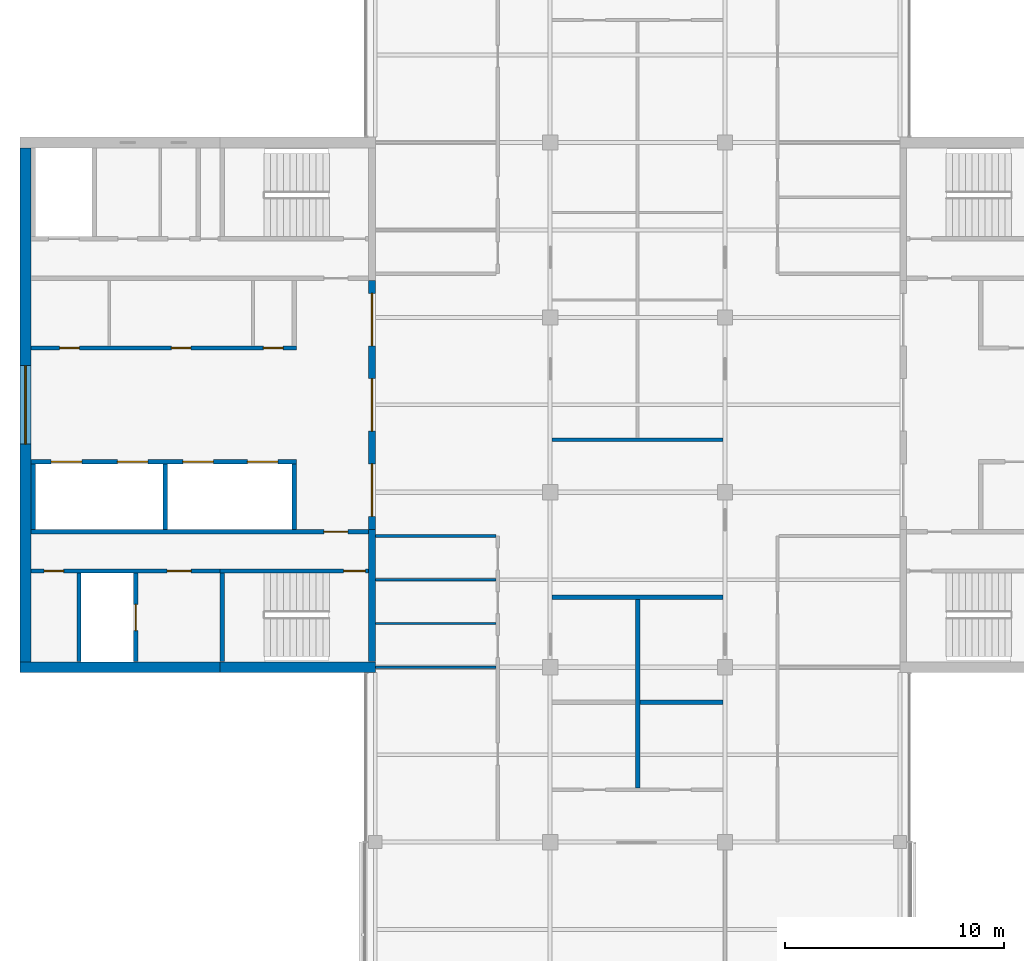
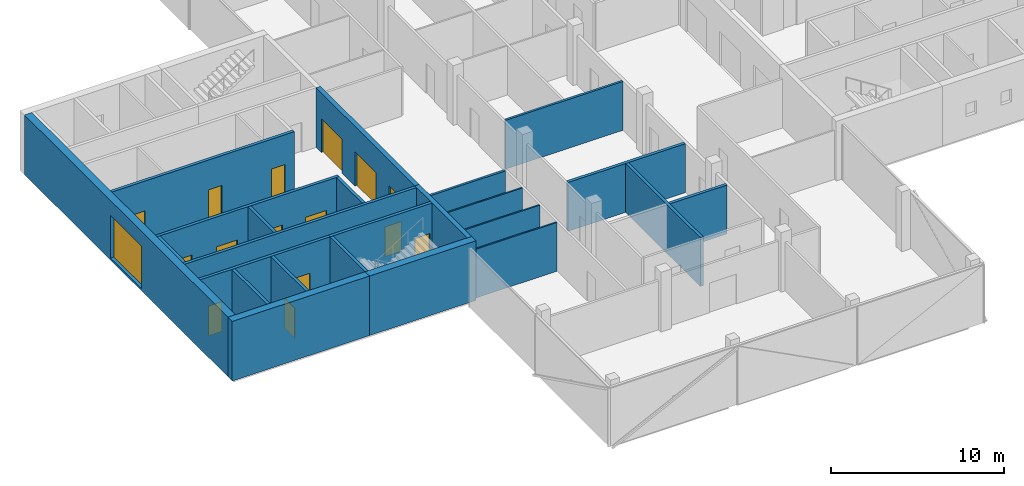
# One storey, part 9 of 16: 24 walls, 15 doors, 1 window, 16 openings.
"""IFC4 building model written with IfcOpenShell, lengths in metres."""

from ifc_helpers import new_model, si_unit, direction, frame, frame_2d, origin, place, context, subcontext, project, spatial, rectangle, extrude, material, layer, layer_set, constituent, constituent_set, type_object, element, fill, save


model = new_model("IFC4")

# Units and contexts
model_context = context("Model", 3, precision=1e-05, world=origin(), true_north=direction((0.0, 1.0)))
body_context = subcontext(model_context, "Body", "Model", "MODEL_VIEW")
ifc_project = project(units=[si_unit("LENGTHUNIT", "METRE"), si_unit("AREAUNIT", "SQUARE_METRE"), si_unit("VOLUMEUNIT", "CUBIC_METRE"), si_unit("PLANEANGLEUNIT", "RADIAN"), si_unit("MASSUNIT", "GRAM", prefix="KILO")], contexts=[model_context])

# Site, building, storey
site_placement = place(None, origin())
site = spatial("IfcSite", under=ifc_project, at=site_placement, CompositionType="ELEMENT")
building_placement = place(site_placement, origin())
building = spatial("IfcBuilding", under=site, at=building_placement, Name="Crosswind Convention Tower", CompositionType="ELEMENT")
storey_placement = place(building_placement, frame((0.0, 0.0, 278.699951171875)))
storey = spatial("IfcBuildingStorey", under=building, at=storey_placement, Name="L60", CompositionType="ELEMENT", Elevation=278.699951171875)

# Walls
ifc_material_1 = material(Name="Concrete blockwork", Category="masonry")
ifc_layer_1 = layer(ifc_material_1, 0.199951171875)
ifc_layer_set_1 = layer_set([ifc_layer_1], Name="COMPARTMENT WALL 200 BLOCKWORK")
wall_type_1 = type_object("IfcWallType", Name="COMPARTMENT WALL 200 BLOCKWORK", PredefinedType="SOLIDWALL", material=ifc_layer_set_1)
wall_1_placement = place(storey_placement, frame((125.0, 82.47509765625, 0.0), z_axis=(0.0, 0.0, 1.0), x_axis=(0.0, 1.0, 0.0)))
element("IfcWall", 1, at=wall_1_placement, inside=storey, type_object=wall_type_1, Name="Compartment wall WT42", PredefinedType="SOLIDWALL", context=body_context, shape_type="SweptSolid", body=[
    extrude(rectangle(XDim=8.625, YDim=0.199951171875, at=frame_2d((4.3125, 0.0))), origin(), (0.0, 0.0, 1.0), 3.44287109375),
])
wall_2_placement = place(storey_placement, frame((121.074951171875, 91.199951171875, 0.0), z_axis=(0.0, 0.0, 1.0), x_axis=(1.0, 0.0, 0.0)))
element("IfcWall", 2, at=wall_2_placement, inside=storey, type_object=wall_type_1, Name="Compartment wall WT42", PredefinedType="SOLIDWALL", context=body_context, shape_type="SweptSolid", body=[
    extrude(rectangle(XDim=7.824951171875, YDim=0.199951171875, at=frame_2d((3.91259765625, 0.0))), origin(), (0.0, 0.0, 1.0), 3.44287109375),
])
wall_3_placement = place(storey_placement, frame((125.10009765625, 86.39990234375, 0.0), z_axis=(0.0, 0.0, 1.0), x_axis=(1.0, 0.0, 0.0)))
element("IfcWall", 3, at=wall_3_placement, inside=storey, type_object=wall_type_1, Name="Compartment wall WT42", PredefinedType="SOLIDWALL", context=body_context, shape_type="SweptSolid", body=[
    extrude(rectangle(XDim=3.7998046875, YDim=0.199951171875, at=frame_2d((1.89990234375, 0.0))), origin(), (0.0, 0.0, 1.0), 3.44287109375),
])

# Wall, openings, doors
ifc_material_2 = material(Name="Concrete C50/60", Category="concrete")
ifc_layer_2 = layer(ifc_material_2, 0.300048828125)
ifc_layer_set_2 = layer_set([ifc_layer_2], Name="Concrete C50/60")
wall_type_2 = type_object("IfcWallType", Name="Concrete inner core wall 300", PredefinedType="SHEAR", material=ifc_layer_set_2)
wall_4_placement = place(storey_placement, frame((112.85009765625, 105.699951171875, 0.0), z_axis=(0.0, 0.0, 1.0), x_axis=(0.0, -1.0, 0.0)))
wall_4 = element("IfcWall", 4, at=wall_4_placement, inside=storey, type_object=wall_type_2, Name="Wall SCR W L60", PredefinedType="SHEAR", context=body_context, shape_type="SweptSolid", body=[
    extrude(rectangle(XDim=11.39990234375, YDim=0.300048828125, at=frame_2d((5.699951171875, 0.0))), origin(), (0.0, 0.0, 1.0), 4.199951171875),
])
opening_1_placement = place(wall_4_placement, frame((0.60009765625, 0.0, 0.0)))
opening_1 = element("IfcOpeningElement", 5, at=opening_1_placement, cuts=wall_4, Name="Opening D100", PredefinedType="OPENING", context=body_context, shape_type="SweptSolid", body=[
    extrude(rectangle(XDim=2.39990234375, YDim=2.39990234375, at=frame_2d((1.199951171875, 1.199951171875))), frame((0.0, 0.159912109375, 0.0), z_axis=(0.0, -1.0, 0.0), x_axis=(1.0, 0.0, 0.0)), (0.0, 0.0, 1.0), 0.320068359375),
])
opening_2_placement = place(wall_4_placement, frame((4.5, 0.0, 0.0)))
opening_2 = element("IfcOpeningElement", 6, at=opening_2_placement, cuts=wall_4, Name="Opening D100", PredefinedType="OPENING", context=body_context, shape_type="SweptSolid", body=[
    extrude(rectangle(XDim=2.39990234375, YDim=2.39990234375, at=frame_2d((1.199951171875, 1.199951171875))), frame((0.0, 0.159912109375, 0.0), z_axis=(0.0, -1.0, 0.0), x_axis=(1.0, 0.0, 0.0)), (0.0, 0.0, 1.0), 0.320068359375),
])
opening_3_placement = place(wall_4_placement, frame((8.39990234375, 0.0, 0.0)))
opening_3 = element("IfcOpeningElement", 7, at=opening_3_placement, cuts=wall_4, Name="Opening D100", PredefinedType="OPENING", context=body_context, shape_type="SweptSolid", body=[
    extrude(rectangle(XDim=2.39990234375, YDim=2.39990234375, at=frame_2d((1.199951171875, 1.199951171875))), frame((0.0, 0.159912109375, 0.0), z_axis=(0.0, -1.0, 0.0), x_axis=(1.0, 0.0, 0.0)), (0.0, 0.0, 1.0), 0.320068359375),
])
ifc_material_3 = material(Name="Steel fire door with glazed vision panels", Category="steel")
door_type_1 = type_object("IfcDoorType", Name="Fire-rated double door 2400x2400", OperationType="DOUBLE_DOOR_SINGLE_SWING", PredefinedType="DOOR", material=ifc_material_3)
door_1_placement = place(opening_1_placement, origin())
door_1 = element("IfcDoor", 8, at=door_1_placement, inside=storey, type_object=door_type_1, Name="Lobby door 1 L60", ObjectType="D100", OperationType="DOUBLE_DOOR_SINGLE_SWING", OverallHeight=2.39990234375, OverallWidth=2.39990234375, PredefinedType="DOOR", context=body_context, shape_type="SweptSolid", body=[
    extrude(rectangle(XDim=2.39990234375, YDim=2.39990234375, at=frame_2d((1.199951171875, 1.199951171875))), frame((0.0, 0.02490234375, 0.0), z_axis=(0.0, -1.0, 0.0), x_axis=(1.0, 0.0, 0.0)), (0.0, 0.0, 1.0), 0.050048828125),
])
fill(opening_1, door_1)
door_2_placement = place(opening_2_placement, origin())
door_2 = element("IfcDoor", 9, at=door_2_placement, inside=storey, type_object=door_type_1, Name="Lobby door 2 L60", ObjectType="D100", OperationType="DOUBLE_DOOR_SINGLE_SWING", OverallHeight=2.39990234375, OverallWidth=2.39990234375, PredefinedType="DOOR", context=body_context, shape_type="SweptSolid", body=[
    extrude(rectangle(XDim=2.39990234375, YDim=2.39990234375, at=frame_2d((1.199951171875, 1.199951171875))), frame((0.0, 0.02490234375, 0.0), z_axis=(0.0, -1.0, 0.0), x_axis=(1.0, 0.0, 0.0)), (0.0, 0.0, 1.0), 0.050048828125),
])
fill(opening_2, door_2)
door_3_placement = place(opening_3_placement, origin())
door_3 = element("IfcDoor", 10, at=door_3_placement, inside=storey, type_object=door_type_1, Name="Lobby door 3 L60", ObjectType="D100", OperationType="DOUBLE_DOOR_SINGLE_SWING", OverallHeight=2.39990234375, OverallWidth=2.39990234375, PredefinedType="DOOR", context=body_context, shape_type="SweptSolid", body=[
    extrude(rectangle(XDim=2.39990234375, YDim=2.39990234375, at=frame_2d((1.199951171875, 1.199951171875))), frame((0.0, 0.02490234375, 0.0), z_axis=(0.0, -1.0, 0.0), x_axis=(1.0, 0.0, 0.0)), (0.0, 0.0, 1.0), 0.050048828125),
])
fill(opening_3, door_3)

# Walls
wall_5_placement = place(storey_placement, frame((112.85009765625, 94.300048828125, 0.0), z_axis=(0.0, 0.0, 1.0), x_axis=(0.0, -1.0, 0.0)))
element("IfcWall", 11, at=wall_5_placement, inside=storey, type_object=wall_type_2, Name="Wall EP W L60", PredefinedType="SHEAR", context=body_context, shape_type="SweptSolid", body=[
    extrude(rectangle(XDim=6.050048828125, YDim=0.300048828125, at=frame_2d((3.02490234375, 0.0))), origin(), (0.0, 0.0, 1.0), 4.199951171875),
])
ifc_layer_3 = layer(ifc_material_2, 0.199951171875)
ifc_layer_set_3 = layer_set([ifc_layer_3], Name="Concrete C50/60")
wall_type_3 = type_object("IfcWallType", Name="Concrete shaft and stair wall 200", PredefinedType="SHEAR", material=ifc_layer_set_3)
for number, where, z_axis, x_axis, name in (
    (12, (109.300048828125, 97.300048828125, 0.0), (0.0, 0.0, 1.0), (0.0, -1.0, 0.0), "Wall RPEND W L60"),
    (13, (103.39990234375, 97.300048828125, 0.0), (0.0, 0.0, 1.0), (0.0, -1.0, 0.0), "Wall RPSEP W L60"),
    (14, (97.35009765625, 97.300048828125, 0.0), (0.0, 0.0, 1.0), (0.0, -1.0, 0.0), "Wall RPEAST W L60"),
):
    element("IfcWall", number, at=place(storey_placement, frame(where, z_axis=z_axis, x_axis=x_axis)), inside=storey, type_object=wall_type_3, Name=name, PredefinedType="SHEAR", context=body_context, shape_type="SweptSolid", body=[
        extrude(rectangle(XDim=3.0, YDim=0.199951171875, at=frame_2d((1.5, 0.0))), origin(), (0.0, 0.0, 1.0), 4.199951171875),
    ])

# Wall, openings, doors
wall_6_placement = place(storey_placement, frame((109.39990234375, 97.39990234375, 0.0), z_axis=(0.0, 0.0, 1.0), x_axis=(-1.0, 0.0, 0.0)))
wall_6 = element("IfcWall", 15, at=wall_6_placement, inside=storey, type_object=wall_type_3, Name="Wall RPFRONT W L60", PredefinedType="SHEAR", context=body_context, shape_type="SweptSolid", body=[
    extrude(rectangle(XDim=12.14990234375, YDim=0.199951171875, at=frame_2d((6.074951171875, 0.0))), origin(), (0.0, 0.0, 1.0), 4.199951171875),
])
opening_4_placement = place(wall_6_placement, frame((0.85009765625, 0.0, 0.0)))
opening_4 = element("IfcOpeningElement", 16, at=opening_4_placement, cuts=wall_6, Name="Opening LD2", PredefinedType="OPENING", context=body_context, shape_type="SweptSolid", body=[
    extrude(rectangle(XDim=1.39990234375, YDim=2.10009765625, at=frame_2d((0.699951171875, 1.050048828125))), frame((0.0, 0.10986328125, 0.0), z_axis=(0.0, -1.0, 0.0), x_axis=(1.0, 0.0, 0.0)), (0.0, 0.0, 1.0), 0.219970703125),
])
opening_5_placement = place(wall_6_placement, frame((3.800048828125, 0.0, 0.0)))
opening_5 = element("IfcOpeningElement", 17, at=opening_5_placement, cuts=wall_6, Name="Opening LD2", PredefinedType="OPENING", context=body_context, shape_type="SweptSolid", body=[
    extrude(rectangle(XDim=1.39990234375, YDim=2.10009765625, at=frame_2d((0.699951171875, 1.050048828125))), frame((0.0, 0.10986328125, 0.0), z_axis=(0.0, -1.0, 0.0), x_axis=(1.0, 0.0, 0.0)), (0.0, 0.0, 1.0), 0.219970703125),
])
opening_6_placement = place(wall_6_placement, frame((6.800048828125, 0.0, 0.0)))
opening_6 = element("IfcOpeningElement", 18, at=opening_6_placement, cuts=wall_6, Name="Opening LD2", PredefinedType="OPENING", context=body_context, shape_type="SweptSolid", body=[
    extrude(rectangle(XDim=1.39990234375, YDim=2.10009765625, at=frame_2d((0.699951171875, 1.050048828125))), frame((0.0, 0.10986328125, 0.0), z_axis=(0.0, -1.0, 0.0), x_axis=(1.0, 0.0, 0.0)), (0.0, 0.0, 1.0), 0.219970703125),
])
opening_7_placement = place(wall_6_placement, frame((9.824951171875, 0.0, 0.0)))
opening_7 = element("IfcOpeningElement", 19, at=opening_7_placement, cuts=wall_6, Name="Opening LD2", PredefinedType="OPENING", context=body_context, shape_type="SweptSolid", body=[
    extrude(rectangle(XDim=1.39990234375, YDim=2.10009765625, at=frame_2d((0.699951171875, 1.050048828125))), frame((0.0, 0.10986328125, 0.0), z_axis=(0.0, -1.0, 0.0), x_axis=(1.0, 0.0, 0.0)), (0.0, 0.0, 1.0), 0.219970703125),
])
ifc_material_4 = material(Name="Stainless steel", Category="steel")
door_type_2 = type_object("IfcDoorType", Name="Lift landing door 1400x2100", OperationType="DOUBLE_DOOR_SLIDING", PredefinedType="DOOR", material=ifc_material_4)
door_4_placement = place(opening_4_placement, origin())
door_4 = element("IfcDoor", 20, at=door_4_placement, inside=storey, type_object=door_type_2, Name="Landing door HR1 L60", ObjectType="LD2", OperationType="DOUBLE_DOOR_SLIDING", OverallHeight=2.10009765625, OverallWidth=1.39990234375, PredefinedType="DOOR", context=body_context, shape_type="SweptSolid", body=[
    extrude(rectangle(XDim=1.39990234375, YDim=2.10009765625, at=frame_2d((0.699951171875, 1.050048828125))), frame((0.0, 0.02490234375, 0.0), z_axis=(0.0, -1.0, 0.0), x_axis=(1.0, 0.0, 0.0)), (0.0, 0.0, 1.0), 0.050048828125),
])
fill(opening_4, door_4)
door_5_placement = place(opening_5_placement, origin())
door_5 = element("IfcDoor", 21, at=door_5_placement, inside=storey, type_object=door_type_2, Name="Landing door HR2 L60", ObjectType="LD2", OperationType="DOUBLE_DOOR_SLIDING", OverallHeight=2.10009765625, OverallWidth=1.39990234375, PredefinedType="DOOR", context=body_context, shape_type="SweptSolid", body=[
    extrude(rectangle(XDim=1.39990234375, YDim=2.10009765625, at=frame_2d((0.699951171875, 1.050048828125))), frame((0.0, 0.02490234375, 0.0), z_axis=(0.0, -1.0, 0.0), x_axis=(1.0, 0.0, 0.0)), (0.0, 0.0, 1.0), 0.050048828125),
])
fill(opening_5, door_5)
door_6_placement = place(opening_6_placement, origin())
door_6 = element("IfcDoor", 22, at=door_6_placement, inside=storey, type_object=door_type_2, Name="Landing door HR3 L60", ObjectType="LD2", OperationType="DOUBLE_DOOR_SLIDING", OverallHeight=2.10009765625, OverallWidth=1.39990234375, PredefinedType="DOOR", context=body_context, shape_type="SweptSolid", body=[
    extrude(rectangle(XDim=1.39990234375, YDim=2.10009765625, at=frame_2d((0.699951171875, 1.050048828125))), frame((0.0, 0.02490234375, 0.0), z_axis=(0.0, -1.0, 0.0), x_axis=(1.0, 0.0, 0.0)), (0.0, 0.0, 1.0), 0.050048828125),
])
fill(opening_6, door_6)
door_7_placement = place(opening_7_placement, origin())
door_7 = element("IfcDoor", 23, at=door_7_placement, inside=storey, type_object=door_type_2, Name="Landing door HR4 L60", ObjectType="LD2", OperationType="DOUBLE_DOOR_SLIDING", OverallHeight=2.10009765625, OverallWidth=1.39990234375, PredefinedType="DOOR", context=body_context, shape_type="SweptSolid", body=[
    extrude(rectangle(XDim=1.39990234375, YDim=2.10009765625, at=frame_2d((0.699951171875, 1.050048828125))), frame((0.0, 0.02490234375, 0.0), z_axis=(0.0, -1.0, 0.0), x_axis=(1.0, 0.0, 0.0)), (0.0, 0.0, 1.0), 0.050048828125),
])
fill(opening_7, door_7)

wall_7_placement = place(storey_placement, frame((109.39990234375, 102.60009765625, 0.0), z_axis=(0.0, 0.0, 1.0), x_axis=(-1.0, 0.0, 0.0)))
wall_7 = element("IfcWall", 24, at=wall_7_placement, inside=storey, type_object=wall_type_3, Name="Wall RMFRONT W L60", PredefinedType="SHEAR", context=body_context, shape_type="SweptSolid", body=[
    extrude(rectangle(XDim=12.14990234375, YDim=0.199951171875, at=frame_2d((6.074951171875, 0.0))), origin(), (0.0, 0.0, 1.0), 4.199951171875),
])
opening_8_placement = place(wall_7_placement, frame((0.614990234375, 0.0, 0.0)))
opening_8 = element("IfcOpeningElement", 25, at=opening_8_placement, cuts=wall_7, Name="Opening D106", PredefinedType="OPENING", context=body_context, shape_type="SweptSolid", body=[
    extrude(rectangle(XDim=0.89990234375, YDim=2.10009765625, at=frame_2d((0.449951171875, 1.050048828125))), frame((0.0, 0.10986328125, 0.0), z_axis=(0.0, -1.0, 0.0), x_axis=(1.0, 0.0, 0.0)), (0.0, 0.0, 1.0), 0.219970703125),
])
opening_9_placement = place(wall_7_placement, frame((4.828857421875, 0.0, 0.0)))
opening_9 = element("IfcOpeningElement", 26, at=opening_9_placement, cuts=wall_7, Name="Opening D106", PredefinedType="OPENING", context=body_context, shape_type="SweptSolid", body=[
    extrude(rectangle(XDim=0.89990234375, YDim=2.10009765625, at=frame_2d((0.449951171875, 1.050048828125))), frame((0.0, 0.10986328125, 0.0), z_axis=(0.0, -1.0, 0.0), x_axis=(1.0, 0.0, 0.0)), (0.0, 0.0, 1.0), 0.219970703125),
])
opening_10_placement = place(wall_7_placement, frame((9.938720703125, 0.0, 0.0)))
opening_10 = element("IfcOpeningElement", 27, at=opening_10_placement, cuts=wall_7, Name="Opening D106", PredefinedType="OPENING", context=body_context, shape_type="SweptSolid", body=[
    extrude(rectangle(XDim=0.89990234375, YDim=2.10009765625, at=frame_2d((0.449951171875, 1.050048828125))), frame((0.0, 0.10986328125, 0.0), z_axis=(0.0, -1.0, 0.0), x_axis=(1.0, 0.0, 0.0)), (0.0, 0.0, 1.0), 0.219970703125),
])
ifc_material_5 = material(Name="Timber door", Category="wood")
door_type_3 = type_object("IfcDoorType", Name="Single leaf door 900x2100", OperationType="NOTDEFINED", PredefinedType="DOOR", material=ifc_material_5)
door_8_placement = place(opening_8_placement, frame((0.89990234375, 0.0, 0.0), z_axis=(0.0, 0.0, 1.0), x_axis=(-1.0, 0.0, 0.0)))
door_8 = element("IfcDoor", 28, at=door_8_placement, inside=storey, type_object=door_type_3, Name="Door to pantry L60", ObjectType="D106", OperationType="SINGLE_SWING_LEFT", OverallHeight=2.10009765625, OverallWidth=0.89990234375, PredefinedType="DOOR", context=body_context, shape_type="SweptSolid", body=[
    extrude(rectangle(XDim=0.89990234375, YDim=2.10009765625, at=frame_2d((0.449951171875, 1.050048828125))), frame((0.0, 0.02490234375, 0.0), z_axis=(0.0, -1.0, 0.0), x_axis=(1.0, 0.0, 0.0)), (0.0, 0.0, 1.0), 0.050048828125),
])
fill(opening_8, door_8)
door_9_placement = place(opening_9_placement, frame((0.89990234375, 0.0, 0.0), z_axis=(0.0, 0.0, 1.0), x_axis=(-1.0, 0.0, 0.0)))
door_9 = element("IfcDoor", 29, at=door_9_placement, inside=storey, type_object=door_type_3, Name="Door to telecoms room L60", ObjectType="D106", OperationType="SINGLE_SWING_LEFT", OverallHeight=2.10009765625, OverallWidth=0.89990234375, PredefinedType="DOOR", context=body_context, shape_type="SweptSolid", body=[
    extrude(rectangle(XDim=0.89990234375, YDim=2.10009765625, at=frame_2d((0.449951171875, 1.050048828125))), frame((0.0, 0.02490234375, 0.0), z_axis=(0.0, -1.0, 0.0), x_axis=(1.0, 0.0, 0.0)), (0.0, 0.0, 1.0), 0.050048828125),
])
fill(opening_9, door_9)
door_10_placement = place(opening_10_placement, frame((0.89990234375, 0.0, 0.0), z_axis=(0.0, 0.0, 1.0), x_axis=(-1.0, 0.0, 0.0)))
door_10 = element("IfcDoor", 30, at=door_10_placement, inside=storey, type_object=door_type_3, Name="Door to storeroom L60", ObjectType="D106", OperationType="SINGLE_SWING_LEFT", OverallHeight=2.10009765625, OverallWidth=0.89990234375, PredefinedType="DOOR", context=body_context, shape_type="SweptSolid", body=[
    extrude(rectangle(XDim=0.89990234375, YDim=2.10009765625, at=frame_2d((0.449951171875, 1.050048828125))), frame((0.0, 0.02490234375, 0.0), z_axis=(0.0, -1.0, 0.0), x_axis=(1.0, 0.0, 0.0)), (0.0, 0.0, 1.0), 0.050048828125),
])
fill(opening_10, door_10)

# Wall, opening, door
wall_8_placement = place(storey_placement, frame((112.699951171875, 94.199951171875, 0.0), z_axis=(0.0, 0.0, 1.0), x_axis=(-1.0, 0.0, 0.0)))
wall_8 = element("IfcWall", 31, at=wall_8_placement, inside=storey, type_object=wall_type_3, Name="Wall HP W L60", PredefinedType="SHEAR", context=body_context, shape_type="SweptSolid", body=[
    extrude(rectangle(XDim=15.449951171875, YDim=0.199951171875, at=frame_2d((7.72509765625, 0.0))), origin(), (0.0, 0.0, 1.0), 4.199951171875),
])
opening_11_placement = place(wall_8_placement, frame((0.949951171875, 0.0, 0.0)))
opening_11 = element("IfcOpeningElement", 32, at=opening_11_placement, cuts=wall_8, Name="Opening D104", PredefinedType="OPENING", context=body_context, shape_type="SweptSolid", body=[
    extrude(rectangle(XDim=1.10009765625, YDim=2.10009765625, at=frame_2d((0.550048828125, 1.050048828125))), frame((0.0, 0.10986328125, 0.0), z_axis=(0.0, -1.0, 0.0), x_axis=(1.0, 0.0, 0.0)), (0.0, 0.0, 1.0), 0.219970703125),
])
ifc_material_6 = material(Name="Steel fire door", Category="steel")
door_type_4 = type_object("IfcDoorType", Name="Fire-rated single door 1100x2100", OperationType="NOTDEFINED", PredefinedType="DOOR", material=ifc_material_6)
door_11_placement = place(opening_11_placement, origin())
door_11 = element("IfcDoor", 33, at=door_11_placement, inside=storey, type_object=door_type_4, Name="Corridor door L60", ObjectType="D104", OperationType="SINGLE_SWING_LEFT", OverallHeight=2.10009765625, OverallWidth=1.10009765625, PredefinedType="DOOR", context=body_context, shape_type="SweptSolid", body=[
    extrude(rectangle(XDim=1.10009765625, YDim=2.10009765625, at=frame_2d((0.550048828125, 1.050048828125))), frame((0.0, 0.02490234375, 0.0), z_axis=(0.0, -1.0, 0.0), x_axis=(1.0, 0.0, 0.0)), (0.0, 0.0, 1.0), 0.050048828125),
])
fill(opening_11, door_11)

# Wall
wall_9_placement = place(storey_placement, frame((106.0, 92.300048828125, 0.0), z_axis=(0.0, 0.0, 1.0), x_axis=(0.0, -1.0, 0.0)))
element("IfcWall", 34, at=wall_9_placement, inside=storey, type_object=wall_type_3, Name="Wall PSE W L60", PredefinedType="SHEAR", context=body_context, shape_type="SweptSolid", body=[
    extrude(rectangle(XDim=4.050048828125, YDim=0.199951171875, at=frame_2d((2.02490234375, 0.0))), origin(), (0.0, 0.0, 1.0), 4.199951171875),
])

# Wall, opening, door
wall_10_placement = place(storey_placement, frame((102.050048828125, 92.300048828125, 0.0), z_axis=(0.0, 0.0, 1.0), x_axis=(0.0, -1.0, 0.0)))
wall_10 = element("IfcWall", 35, at=wall_10_placement, inside=storey, type_object=wall_type_3, Name="Wall PFLW W L60", PredefinedType="SHEAR", context=body_context, shape_type="SweptSolid", body=[
    extrude(rectangle(XDim=4.050048828125, YDim=0.199951171875, at=frame_2d((2.02490234375, 0.0))), origin(), (0.0, 0.0, 1.0), 4.199951171875),
])
opening_12_placement = place(wall_10_placement, frame((1.425048828125, 0.0, 0.0)))
opening_12 = element("IfcOpeningElement", 36, at=opening_12_placement, cuts=wall_10, Name="Opening LD1", PredefinedType="OPENING", context=body_context, shape_type="SweptSolid", body=[
    extrude(rectangle(XDim=1.199951171875, YDim=2.10009765625, at=frame_2d((0.60009765625, 1.050048828125))), frame((0.0, 0.10986328125, 0.0), z_axis=(0.0, -1.0, 0.0), x_axis=(1.0, 0.0, 0.0)), (0.0, 0.0, 1.0), 0.219970703125),
])
door_type_5 = type_object("IfcDoorType", Name="Lift landing door 1200x2100", OperationType="DOUBLE_DOOR_SLIDING", PredefinedType="DOOR", material=ifc_material_4)
door_12_placement = place(opening_12_placement, origin())
door_12 = element("IfcDoor", 37, at=door_12_placement, inside=storey, type_object=door_type_5, Name="Landing door FF2 L60", ObjectType="LD1", OperationType="DOUBLE_DOOR_SLIDING", OverallHeight=2.10009765625, OverallWidth=1.199951171875, PredefinedType="DOOR", context=body_context, shape_type="SweptSolid", body=[
    extrude(rectangle(XDim=1.199951171875, YDim=2.10009765625, at=frame_2d((0.60009765625, 1.050048828125))), frame((0.0, 0.02490234375, 0.0), z_axis=(0.0, -1.0, 0.0), x_axis=(1.0, 0.0, 0.0)), (0.0, 0.0, 1.0), 0.050048828125),
])
fill(opening_12, door_12)

# Wall
wall_11_placement = place(storey_placement, frame((99.449951171875, 92.300048828125, 0.0), z_axis=(0.0, 0.0, 1.0), x_axis=(0.0, -1.0, 0.0)))
element("IfcWall", 38, at=wall_11_placement, inside=storey, type_object=wall_type_3, Name="Wall PFSE W L60", PredefinedType="SHEAR", context=body_context, shape_type="SweptSolid", body=[
    extrude(rectangle(XDim=4.050048828125, YDim=0.199951171875, at=frame_2d((2.02490234375, 0.0))), origin(), (0.0, 0.0, 1.0), 4.199951171875),
])

# Wall, opening, door
wall_12_placement = place(storey_placement, frame((112.699951171875, 92.39990234375, 0.0), z_axis=(0.0, 0.0, 1.0), x_axis=(-1.0, 0.0, 0.0)))
wall_12 = element("IfcWall", 39, at=wall_12_placement, inside=storey, type_object=wall_type_3, Name="Wall PCW W L60", PredefinedType="SHEAR", context=body_context, shape_type="SweptSolid", body=[
    extrude(rectangle(XDim=6.800048828125, YDim=0.199951171875, at=frame_2d((3.39990234375, 0.0))), origin(), (0.0, 0.0, 1.0), 4.199951171875),
])
opening_13_placement = place(wall_12_placement, frame((0.14990234375, 0.0, 0.0)))
opening_13 = element("IfcOpeningElement", 40, at=opening_13_placement, cuts=wall_12, Name="Opening D103", PredefinedType="OPENING", context=body_context, shape_type="SweptSolid", body=[
    extrude(rectangle(XDim=1.0, YDim=2.10009765625, at=frame_2d((0.5, 1.050048828125))), frame((0.0, 0.10986328125, 0.0), z_axis=(0.0, -1.0, 0.0), x_axis=(1.0, 0.0, 0.0)), (0.0, 0.0, 1.0), 0.219970703125),
])
door_type_6 = type_object("IfcDoorType", Name="Fire-rated single door 1000x2100", OperationType="NOTDEFINED", PredefinedType="DOOR", material=ifc_material_6)
door_13_placement = place(opening_13_placement, origin())
door_13 = element("IfcDoor", 41, at=door_13_placement, inside=storey, type_object=door_type_6, Name="Stair ST3 door L60", ObjectType="D103", OperationType="SINGLE_SWING_LEFT", OverallHeight=2.10009765625, OverallWidth=1.0, PredefinedType="DOOR", context=body_context, shape_type="SweptSolid", body=[
    extrude(rectangle(XDim=1.0, YDim=2.10009765625, at=frame_2d((0.5, 1.050048828125))), frame((0.0, 0.02490234375, 0.0), z_axis=(0.0, -1.0, 0.0), x_axis=(1.0, 0.0, 0.0)), (0.0, 0.0, 1.0), 0.050048828125),
])
fill(opening_13, door_13)

# Wall, openings, doors
wall_13_placement = place(storey_placement, frame((105.89990234375, 92.39990234375, 0.0), z_axis=(0.0, 0.0, 1.0), x_axis=(-1.0, 0.0, 0.0)))
wall_13 = element("IfcWall", 42, at=wall_13_placement, inside=storey, type_object=wall_type_3, Name="Wall PCX W L60", PredefinedType="SHEAR", context=body_context, shape_type="SweptSolid", body=[
    extrude(rectangle(XDim=8.64990234375, YDim=0.199951171875, at=frame_2d((4.324951171875, 0.0))), origin(), (0.0, 0.0, 1.0), 4.199951171875),
])
opening_14_placement = place(wall_13_placement, frame((1.324951171875, 0.0, 0.0)))
opening_14 = element("IfcOpeningElement", 43, at=opening_14_placement, cuts=wall_13, Name="Opening D104", PredefinedType="OPENING", context=body_context, shape_type="SweptSolid", body=[
    extrude(rectangle(XDim=1.10009765625, YDim=2.10009765625, at=frame_2d((0.550048828125, 1.050048828125))), frame((0.0, 0.10986328125, 0.0), z_axis=(0.0, -1.0, 0.0), x_axis=(1.0, 0.0, 0.0)), (0.0, 0.0, 1.0), 0.219970703125),
])
opening_15_placement = place(wall_13_placement, frame((7.14990234375, 0.0, 0.0)))
opening_15 = element("IfcOpeningElement", 44, at=opening_15_placement, cuts=wall_13, Name="Opening D106", PredefinedType="OPENING", context=body_context, shape_type="SweptSolid", body=[
    extrude(rectangle(XDim=0.89990234375, YDim=2.10009765625, at=frame_2d((0.449951171875, 1.050048828125))), frame((0.0, 0.10986328125, 0.0), z_axis=(0.0, -1.0, 0.0), x_axis=(1.0, 0.0, 0.0)), (0.0, 0.0, 1.0), 0.219970703125),
])
door_14_placement = place(opening_14_placement, origin())
door_14 = element("IfcDoor", 45, at=door_14_placement, inside=storey, type_object=door_type_4, Name="Fire-fighting lobby FF2 door L60", ObjectType="D104", OperationType="SINGLE_SWING_RIGHT", OverallHeight=2.10009765625, OverallWidth=1.10009765625, PredefinedType="DOOR", context=body_context, shape_type="SweptSolid", body=[
    extrude(rectangle(XDim=1.10009765625, YDim=2.10009765625, at=frame_2d((0.550048828125, 1.050048828125))), frame((0.0, 0.02490234375, 0.0), z_axis=(0.0, -1.0, 0.0), x_axis=(1.0, 0.0, 0.0)), (0.0, 0.0, 1.0), 0.050048828125),
])
fill(opening_14, door_14)
door_15_placement = place(opening_15_placement, origin())
door_15 = element("IfcDoor", 46, at=door_15_placement, inside=storey, type_object=door_type_3, Name="Door to comms room L60", ObjectType="D106", OperationType="SINGLE_SWING_RIGHT", OverallHeight=2.10009765625, OverallWidth=0.89990234375, PredefinedType="DOOR", context=body_context, shape_type="SweptSolid", body=[
    extrude(rectangle(XDim=0.89990234375, YDim=2.10009765625, at=frame_2d((0.449951171875, 1.050048828125))), frame((0.0, 0.02490234375, 0.0), z_axis=(0.0, -1.0, 0.0), x_axis=(1.0, 0.0, 0.0)), (0.0, 0.0, 1.0), 0.050048828125),
])
fill(opening_15, door_15)

# Walls
ifc_material_7 = material(Name="Plasterboard partition", Category="gypsum")
ifc_layer_4 = layer(ifc_material_7, 0.10009765625)
ifc_layer_set_4 = layer_set([ifc_layer_4], Name="PARTITION 100 METAL STUD")
wall_type_4 = type_object("IfcWallType", Name="PARTITION 100 METAL STUD", PredefinedType="PARTITIONING", material=ifc_layer_set_4)
for number, where, z_axis, x_axis, name in (
    (47, (113.0, 88.0, 0.0), (0.0, 0.0, 1.0), (1.0, 0.0, 0.0), "Partition wall WT40"),
    (48, (113.0, 90.0, 0.0), (0.0, 0.0, 1.0), (1.0, 0.0, 0.0), "Partition wall WT40"),
    (49, (113.0, 92.0, 0.0), (0.0, 0.0, 1.0), (1.0, 0.0, 0.0), "Partition wall WT40"),
):
    element("IfcWall", number, at=place(storey_placement, frame(where, z_axis=z_axis, x_axis=x_axis)), inside=storey, type_object=wall_type_4, Name=name, PredefinedType="PARTITIONING", context=body_context, shape_type="SweptSolid", body=[
        extrude(rectangle(XDim=5.52490234375, YDim=0.10009765625, at=frame_2d((2.762451171875, 0.0))), origin(), (0.0, 0.0, 1.0), 3.44287109375),
    ])
ifc_material_8 = material(Name="Fire-board partition with mineral wool", Category="gypsum")
ifc_layer_5 = layer(ifc_material_8, 0.14990234375)
ifc_layer_set_5 = layer_set([ifc_layer_5], Name="TENANCY WALL 150 TWO-HOUR BOARD")
wall_type_5 = type_object("IfcWallType", Name="TENANCY WALL 150 TWO-HOUR BOARD", PredefinedType="PARTITIONING", material=ifc_layer_set_5)
wall_14_placement = place(storey_placement, frame((113.0, 94.0, 0.0), z_axis=(0.0, 0.0, 1.0), x_axis=(1.0, 0.0, 0.0)))
element("IfcWall", 50, at=wall_14_placement, inside=storey, type_object=wall_type_5, Name="Tenancy wall WT41", PredefinedType="PARTITIONING", context=body_context, shape_type="SweptSolid", body=[
    extrude(rectangle(XDim=5.52490234375, YDim=0.14990234375, at=frame_2d((2.762451171875, 0.0))), origin(), (0.0, 0.0, 1.0), 3.44287109375),
])
wall_15_placement = place(storey_placement, frame((121.074951171875, 98.39990234375, 0.0), z_axis=(0.0, 0.0, 1.0), x_axis=(1.0, 0.0, 0.0)))
element("IfcWall", 51, at=wall_15_placement, inside=storey, type_object=wall_type_5, Name="Tenancy wall WT41", PredefinedType="PARTITIONING", context=body_context, shape_type="SweptSolid", body=[
    extrude(rectangle(XDim=7.824951171875, YDim=0.14990234375, at=frame_2d((3.91259765625, 0.0))), origin(), (0.0, 0.0, 1.0), 3.44287109375),
])
ifc_material_9 = material(Name="Concrete C60/75", Category="concrete")
ifc_constituent_1 = constituent(ifc_material_9, Name="Structure")
ifc_material_10 = material(Name="Terracotta rainscreen", Category="ceramic")
ifc_constituent_2 = constituent(ifc_material_10, Name="Facing")
ifc_constituent_set = constituent_set(constituents=[ifc_constituent_1, ifc_constituent_2], Name="Concrete C60/75, Terracotta rainscreen")
wall_type_6 = type_object("IfcWallType", Name="Terracotta rainscreen on concrete core wall 500", PredefinedType="SHEAR", material=ifc_constituent_set)
wall_16_placement = place(storey_placement, frame((113.0, 88.0, 0.0), z_axis=(0.0, 0.0, 1.0), x_axis=(-1.0, 0.0, 0.0)))
element("IfcWall", 52, at=wall_16_placement, inside=storey, type_object=wall_type_6, Name="Wall N1 W L60", PredefinedType="SHEAR", context=body_context, shape_type="SweptSolid", body=[
    extrude(rectangle(XDim=7.10009765625, YDim=0.5, at=frame_2d((3.550048828125, 0.0))), origin(), (0.0, 0.0, 1.0), 4.199951171875),
])
wall_17_placement = place(storey_placement, frame((105.89990234375, 88.0, 0.0), z_axis=(0.0, 0.0, 1.0), x_axis=(-1.0, 0.0, 0.0)))
element("IfcWall", 53, at=wall_17_placement, inside=storey, type_object=wall_type_6, Name="Wall N2 W L60", PredefinedType="SHEAR", context=body_context, shape_type="SweptSolid", body=[
    extrude(rectangle(XDim=9.14990234375, YDim=0.5, at=frame_2d((4.574951171875, 0.0))), origin(), (0.0, 0.0, 1.0), 4.199951171875),
])

# Wall, opening, window
wall_18_placement = place(storey_placement, frame((97.0, 111.75, 0.0), z_axis=(0.0, 0.0, 1.0), x_axis=(0.0, -1.0, 0.0)))
wall_18 = element("IfcWall", 54, at=wall_18_placement, inside=storey, type_object=wall_type_6, Name="Wall O W L60", PredefinedType="SHEAR", context=body_context, shape_type="SweptSolid", body=[
    extrude(rectangle(XDim=23.5, YDim=0.5, at=frame_2d((11.75, 0.0))), origin(), (0.0, 0.0, 1.0), 4.199951171875),
])
opening_16_placement = place(wall_18_placement, frame((9.949951171875, 0.0, 0.14990234375)))
opening_16 = element("IfcOpeningElement", 55, at=opening_16_placement, cuts=wall_18, Name="Opening W1", PredefinedType="OPENING", context=body_context, shape_type="SweptSolid", body=[
    extrude(rectangle(XDim=3.60009765625, YDim=3.0, at=frame_2d((1.800048828125, 1.5))), frame((0.0, 0.260009765625, 0.0), z_axis=(0.0, -1.0, 0.0), x_axis=(1.0, 0.0, 0.0)), (0.0, 0.0, 1.0), 0.52001953125),
])
ifc_material_11 = material(Name="Clear laminated glass in aluminium frame", Category="aluminium")
window_type = type_object("IfcWindowType", Name="Lobby end window 3600x3000", PartitioningType="SINGLE_PANEL", PredefinedType="WINDOW", material=ifc_material_11)
window_placement = place(opening_16_placement, origin())
window = element("IfcWindow", 56, at=window_placement, inside=storey, type_object=window_type, Name="Lobby end window L60", ObjectType="W1", OverallHeight=3.0, OverallWidth=3.60009765625, PartitioningType="SINGLE_PANEL", PredefinedType="WINDOW", context=body_context, shape_type="SweptSolid", body=[
    extrude(rectangle(XDim=3.60009765625, YDim=3.0, at=frame_2d((1.800048828125, 1.5))), frame((0.0, 0.030029296875, 0.0), z_axis=(0.0, -1.0, 0.0), x_axis=(1.0, 0.0, 0.0)), (0.0, 0.0, 1.0), 0.06005859375),
])
fill(opening_16, window)

save(model, "model.ifc")
